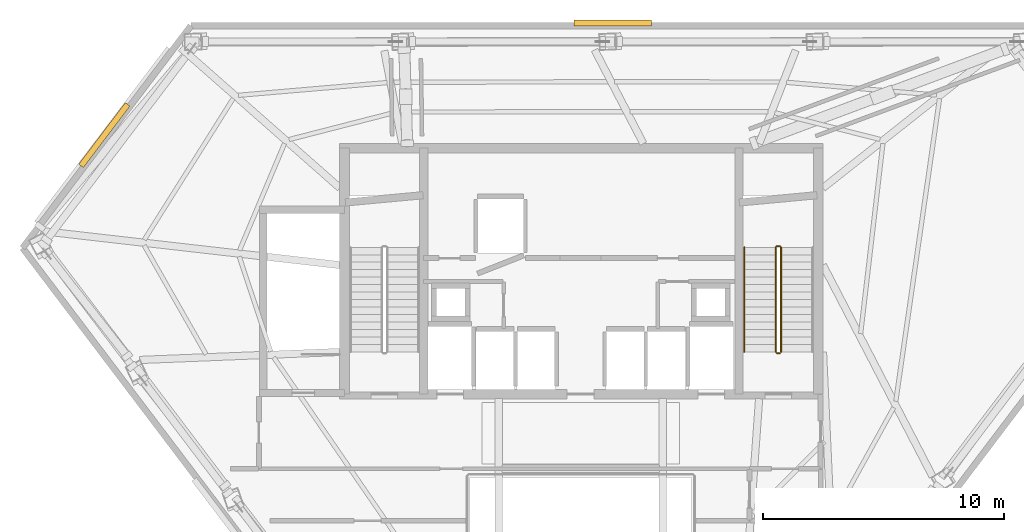
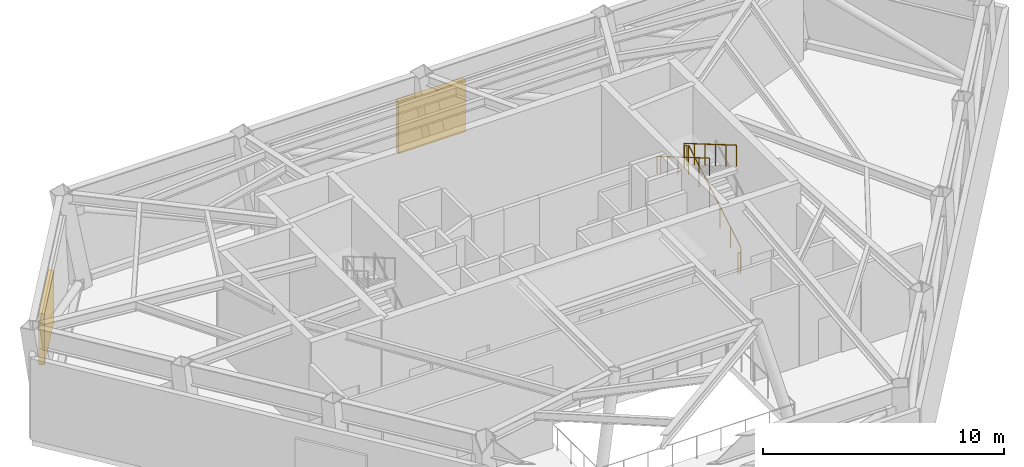
# One storey, part 9 of 10: 5 railings, 2 shading devices.
"""IFC4 building model written with IfcOpenShell, lengths in metres."""

from ifc_helpers import new_model, si_unit, direction, frame, origin, origin_2d, place, context, subcontext, project, spatial, rectangle, circle, extrude, material, type_object, element, save


model = new_model("IFC4")

# Units and contexts
model_context = context("Model", 3, precision=1e-05, world=origin(), true_north=direction((0.0, 1.0)))
body_context = subcontext(model_context, "Body", "Model", "MODEL_VIEW")
ifc_project = project(units=[si_unit("LENGTHUNIT", "METRE"), si_unit("AREAUNIT", "SQUARE_METRE"), si_unit("VOLUMEUNIT", "CUBIC_METRE"), si_unit("PLANEANGLEUNIT", "RADIAN"), si_unit("MASSUNIT", "GRAM", prefix="KILO")], contexts=[model_context])

# Site, building, storey
site_placement = place(None, origin())
site = spatial("IfcSite", under=ifc_project, at=site_placement, CompositionType="ELEMENT")
building_placement = place(site_placement, origin())
building = spatial("IfcBuilding", under=site, at=building_placement, Name="Zarrinselat Tower", CompositionType="ELEMENT")
storey_placement = place(building_placement, frame((0.0, 0.0, 194.47998046875)))
storey = spatial("IfcBuildingStorey", under=building, at=storey_placement, Name="L48", CompositionType="ELEMENT", Elevation=194.47998046875)

# Railings
ifc_material_1 = material(Name="Steel S355J2", Category="steel")
railing_type_1 = type_object("IfcRailingType", Name="RLG-STAIR-GUARD", PredefinedType="GUARDRAIL", material=ifc_material_1)
railing_1_placement = place(storey_placement, frame((46.7099609375, 35.0, 0.181396484375)))
element("IfcRailing", 1, at=railing_1_placement, inside=storey, type_object=railing_type_1, Name="L48 ST-2 stair guard 1", PredefinedType="GUARDRAIL", context=body_context, shape_type="SweptSolid", body=[
    extrude(circle(Radius=0.02392578125, at=origin_2d()), frame((0.0, 0.0, 1.076171875), z_axis=(0.0, 0.863184808233, 0.504888093379), x_axis=(-1.0, 0.0, 0.0)), (0.0, 0.0, 1.0), 5.028076171875),
    extrude(circle(Radius=0.02099609375, at=origin_2d()), origin(), (0.0, 0.0, 1.0), 1.050048828125),
    extrude(circle(Radius=0.02099609375, at=origin_2d()), frame((0.0, 0.867919921875, 0.5078125)), (0.0, 0.0, 1.0), 1.050048828125),
    extrude(circle(Radius=0.02099609375, at=origin_2d()), frame((0.0, 1.736083984375, 1.015380859375)), (0.0, 0.0, 1.0), 1.050048828125),
    extrude(circle(Radius=0.02099609375, at=origin_2d()), frame((0.0, 2.60400390625, 1.523193359375)), (0.0, 0.0, 1.0), 1.050048828125),
    extrude(circle(Radius=0.02099609375, at=origin_2d()), frame((0.0, 3.47216796875, 2.03076171875)), (0.0, 0.0, 1.0), 1.050048828125),
    extrude(circle(Radius=0.02099609375, at=origin_2d()), frame((0.0, 4.340087890625, 2.53857421875)), (0.0, 0.0, 1.0), 1.050048828125),
])
railing_2_placement = place(storey_placement, frame((46.659912109375, 39.389892578125, 2.719970703125)))
element("IfcRailing", 2, at=railing_2_placement, inside=storey, type_object=railing_type_1, Name="L48 ST-2 stair guard 2", PredefinedType="GUARDRAIL", context=body_context, shape_type="SweptSolid", body=[
    extrude(circle(Radius=0.02392578125, at=origin_2d()), frame((0.0, 0.0, 1.076171875), z_axis=(-1.0, 0.0, 0.0), x_axis=(0.0, -1.0, 0.0)), (0.0, 0.0, 1.0), 0.119873046875),
    extrude(circle(Radius=0.02099609375, at=origin_2d()), origin(), (0.0, 0.0, 1.0), 1.050048828125),
    extrude(circle(Radius=0.02099609375, at=origin_2d()), frame((-0.119873046875, 0.0, 0.0)), (0.0, 0.0, 1.0), 1.050048828125),
])
railing_3_placement = place(storey_placement, frame((46.489990234375, 39.340087890625, 2.9013671875)))
element("IfcRailing", 3, at=railing_3_placement, inside=storey, type_object=railing_type_1, Name="L48 ST-2 stair guard 3", PredefinedType="GUARDRAIL", context=body_context, shape_type="SweptSolid", body=[
    extrude(circle(Radius=0.02392578125, at=origin_2d()), frame((0.0, 0.0, 1.076171875), z_axis=(0.0, -0.863184808233, 0.504888093379), x_axis=(1.0, 0.0, 0.0)), (0.0, 0.0, 1.0), 5.028076171875),
    extrude(circle(Radius=0.02099609375, at=origin_2d()), origin(), (0.0, 0.0, 1.0), 1.050048828125),
    extrude(circle(Radius=0.02099609375, at=origin_2d()), frame((0.0, -0.867919921875, 0.5078125)), (0.0, 0.0, 1.0), 1.050048828125),
    extrude(circle(Radius=0.02099609375, at=origin_2d()), frame((0.0, -1.736083984375, 1.015380859375)), (0.0, 0.0, 1.0), 1.050048828125),
    extrude(circle(Radius=0.02099609375, at=origin_2d()), frame((0.0, -2.60400390625, 1.523193359375)), (0.0, 0.0, 1.0), 1.050048828125),
    extrude(circle(Radius=0.02099609375, at=origin_2d()), frame((0.0, -3.47216796875, 2.03076171875)), (0.0, 0.0, 1.0), 1.050048828125),
    extrude(circle(Radius=0.02099609375, at=origin_2d()), frame((0.0, -4.340087890625, 2.53857421875)), (0.0, 0.0, 1.0), 1.050048828125),
])
railing_4_placement = place(storey_placement, frame((46.659912109375, 34.949951171875, 0.0)))
element("IfcRailing", 4, at=railing_4_placement, inside=storey, type_object=railing_type_1, Name="L48 ST-2 stair guard 4", PredefinedType="GUARDRAIL", context=body_context, shape_type="SweptSolid", body=[
    extrude(circle(Radius=0.02392578125, at=origin_2d()), frame((0.0, 0.0, 1.076171875), z_axis=(-1.0, 0.0, 0.0), x_axis=(0.0, -1.0, 0.0)), (0.0, 0.0, 1.0), 0.119873046875),
    extrude(circle(Radius=0.02099609375, at=origin_2d()), origin(), (0.0, 0.0, 1.0), 1.050048828125),
    extrude(circle(Radius=0.02099609375, at=origin_2d()), frame((-0.119873046875, 0.0, 0.0)), (0.0, 0.0, 1.0), 1.050048828125),
])
ifc_material_2 = material(Name="Steel S355J2", Category="steel")
railing_type_2 = type_object("IfcRailingType", Name="RLG-STAIR-HAND", PredefinedType="HANDRAIL", material=ifc_material_2)
railing_5_placement = place(storey_placement, frame((45.18994140625, 39.340087890625, 2.9013671875)))
element("IfcRailing", 5, at=railing_5_placement, inside=storey, type_object=railing_type_2, Name="L48 ST-2 stair handrail 2", PredefinedType="HANDRAIL", context=body_context, shape_type="SweptSolid", body=[
    extrude(circle(Radius=0.02392578125, at=origin_2d()), frame((0.0, 0.0, 0.8759765625), z_axis=(0.0, -0.863184808233, 0.504888093379), x_axis=(1.0, 0.0, 0.0)), (0.0, 0.0, 1.0), 5.028076171875),
    extrude(circle(Radius=0.02099609375, at=origin_2d()), origin(), (0.0, 0.0, 1.0), 0.849853515625),
    extrude(circle(Radius=0.02099609375, at=origin_2d()), frame((0.0, -0.867919921875, 0.5078125)), (0.0, 0.0, 1.0), 0.849853515625),
    extrude(circle(Radius=0.02099609375, at=origin_2d()), frame((0.0, -1.736083984375, 1.015380859375)), (0.0, 0.0, 1.0), 0.849853515625),
    extrude(circle(Radius=0.02099609375, at=origin_2d()), frame((0.0, -2.60400390625, 1.523193359375)), (0.0, 0.0, 1.0), 0.849853515625),
    extrude(circle(Radius=0.02099609375, at=origin_2d()), frame((0.0, -3.47216796875, 2.03076171875)), (0.0, 0.0, 1.0), 0.849853515625),
    extrude(circle(Radius=0.02099609375, at=origin_2d()), frame((0.0, -4.340087890625, 2.53857421875)), (0.0, 0.0, 1.0), 0.849853515625),
])

# Shading devices
ifc_material_3 = material(Name="Extruded Aluminium Alloy EN AW-6063 T6", Category="aluminium")
shading_device_type = type_object("IfcShadingDeviceType", Name="SHD-PLANT-LOUVRE", PredefinedType="JALOUSIE", material=ifc_material_3)
for number, where, z_axis, x_axis, name in (
    (6, (39.729248046875, 48.64794921875, 0.800048828125), (0.0, 0.0, 1.0), (-1.0, 0.0, 0.0), "L48 Acoustic Plant Intake Louvre 1"),
    (7, (18.64013671875, 43.991455078125, 0.800048828125), (0.0, 0.0, 1.0), (-0.603858686923, -0.797091391389, 0.0), "L48 Acoustic Plant Intake Louvre 2"),
):
    element("IfcShadingDevice", number, at=place(storey_placement, frame(where, z_axis=z_axis, x_axis=x_axis)), inside=storey, type_object=shading_device_type, Name=name, PredefinedType="JALOUSIE", context=body_context, shape_type="SweptSolid", body=[
        extrude(rectangle(XDim=3.199951171875, YDim=0.239990234375, at=origin_2d()), origin(), (0.0, 0.0, 1.0), 2.60009765625),
    ])

save(model, "model.ifc")
